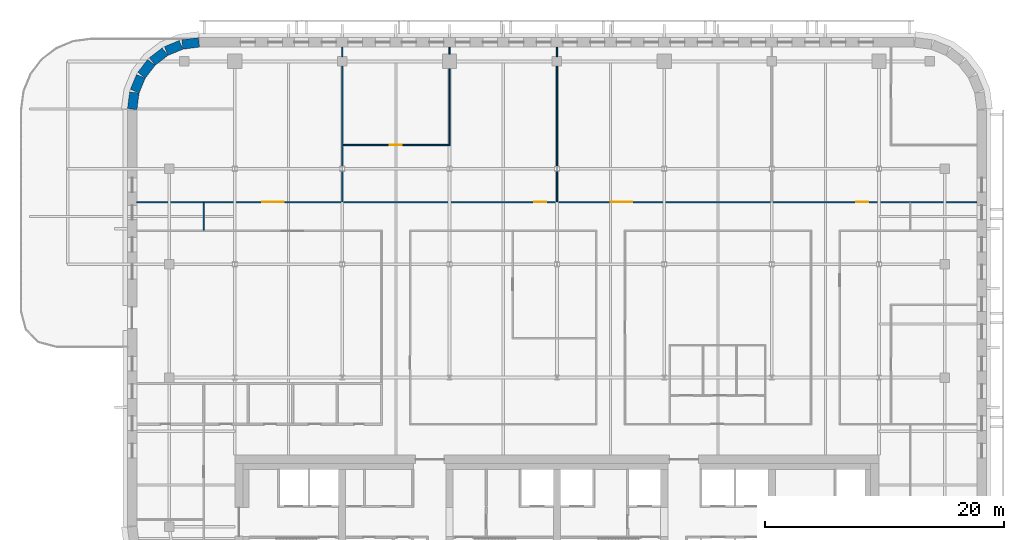
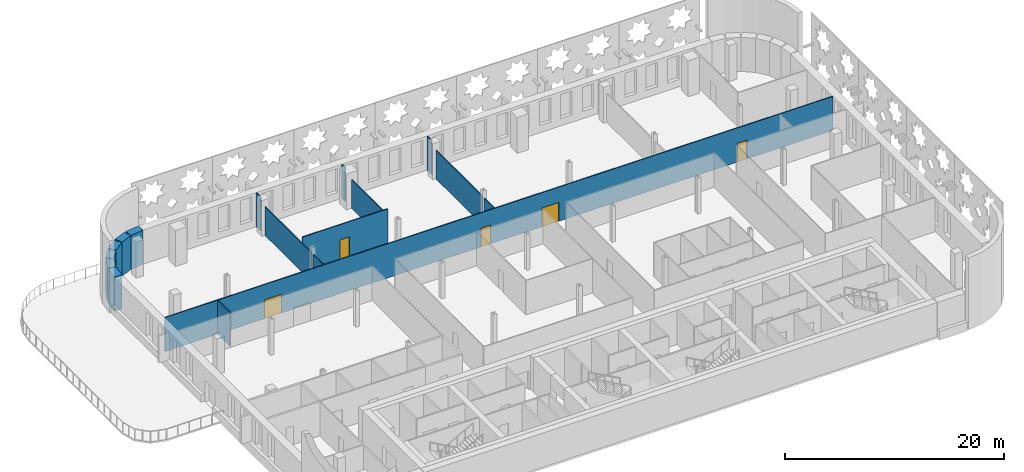
# One storey, part 9 of 17: 17 walls, 5 doors, 5 openings.
"""IFC4 building model written with IfcOpenShell, lengths in metres."""

from ifc_helpers import new_model, si_unit, direction, frame, frame_2d, origin, place, context, subcontext, project, spatial, rectangle, extrude, material, layer, layer_set, type_object, element, fill, save


model = new_model("IFC4")

# Units and contexts
model_context = context("Model", 3, precision=1e-05, world=origin(), true_north=direction((0.0, 1.0)))
body_context = subcontext(model_context, "Body", "Model", "MODEL_VIEW")
ifc_project = project(units=[si_unit("LENGTHUNIT", "METRE"), si_unit("AREAUNIT", "SQUARE_METRE"), si_unit("VOLUMEUNIT", "CUBIC_METRE"), si_unit("PLANEANGLEUNIT", "RADIAN"), si_unit("MASSUNIT", "GRAM", prefix="KILO")], contexts=[model_context])

# Site, building, storey
site_placement = place(None, origin())
site = spatial("IfcSite", under=ifc_project, at=site_placement, CompositionType="ELEMENT")
building_placement = place(site_placement, origin())
building = spatial("IfcBuilding", under=site, at=building_placement, Name="Zellij Exchange Tower", CompositionType="ELEMENT")
storey_placement = place(building_placement, frame((0.0, 0.0, 256.5)))
storey = spatial("IfcBuildingStorey", under=building, at=storey_placement, Name="L60", CompositionType="ELEMENT", Elevation=256.5)

# Walls
ifc_material_1 = material(Name="Precast concrete C40/50", Category="concrete")
ifc_layer_1 = layer(ifc_material_1, 0.800048828125)
ifc_layer_set_1 = layer_set([ifc_layer_1], Name="Precast concrete C40/50")
wall_type_1 = type_object("IfcWallType", Name="ENV-EW1 Precast stone-piered wall 800", PredefinedType="SOLIDWALL", material=ifc_layer_set_1)
wall_1_placement = place(storey_placement, frame((-29.999755859375, 32.5966796875, 0.0), z_axis=(0.0, 0.0, 1.0), x_axis=(-0.99144603414, -0.130517283865, 0.0)))
element("IfcWall", 1, at=wall_1_placement, inside=storey, type_object=wall_type_1, Name="fac.L60.15", PredefinedType="SOLIDWALL", context=body_context, shape_type="SweptSolid", body=[
    extrude(rectangle(XDim=1.408447265625, YDim=0.800048828125, at=frame_2d((0.7041015625, 0.0))), origin(), (0.0, 0.0, 1.0), 3.800048828125),
])
wall_2_placement = place(storey_placement, frame((-31.497314453125, 32.3857421875, 0.0), z_axis=(0.0, 0.0, 1.0), x_axis=(-0.923847774587, -0.38276009378, 0.0)))
element("IfcWall", 2, at=wall_2_placement, inside=storey, type_object=wall_type_1, Name="fac.L60.16", PredefinedType="SOLIDWALL", context=body_context, shape_type="SweptSolid", body=[
    extrude(rectangle(XDim=1.35546875, YDim=0.800048828125, at=frame_2d((0.677734375, 0.0))), origin(), (0.0, 0.0, 1.0), 3.800048828125),
])
for number, where, z_axis, x_axis, name in (
    (3, (-32.840087890625, 31.814697265625, 0.0), (0.0, 0.0, 1.0), (-0.793272915452, -0.608866226366, 0.0), "fac.L60.17"),
    (4, (-33.9892578125, 30.91552734375, 0.0), (0.0, 0.0, 1.0), (-0.608866226366, -0.793272915452, 0.0), "fac.L60.18"),
):
    element("IfcWall", number, at=place(storey_placement, frame(where, z_axis=z_axis, x_axis=x_axis)), inside=storey, type_object=wall_type_1, Name=name, PredefinedType="SOLIDWALL", context=body_context, shape_type="SweptSolid", body=[
        extrude(rectangle(XDim=1.355712890625, YDim=0.800048828125, at=frame_2d((0.677734375, 0.0))), origin(), (0.0, 0.0, 1.0), 3.800048828125),
    ])
wall_3_placement = place(storey_placement, frame((-34.866943359375, 29.74951171875, 0.0), z_axis=(0.0, 0.0, 1.0), x_axis=(-0.38276009378, -0.923847774587, 0.0)))
element("IfcWall", 5, at=wall_3_placement, inside=storey, type_object=wall_type_1, Name="fac.L60.19", PredefinedType="SOLIDWALL", context=body_context, shape_type="SweptSolid", body=[
    extrude(rectangle(XDim=1.35546875, YDim=0.800048828125, at=frame_2d((0.677734375, 0.0))), origin(), (0.0, 0.0, 1.0), 3.800048828125),
])
wall_4_placement = place(storey_placement, frame((-35.412841796875, 28.396240234375, 0.0), z_axis=(0.0, 0.0, 1.0), x_axis=(-0.130517283865, -0.99144603414, 0.0)))
element("IfcWall", 6, at=wall_4_placement, inside=storey, type_object=wall_type_1, Name="fac.L60.20", PredefinedType="SOLIDWALL", context=body_context, shape_type="SweptSolid", body=[
    extrude(rectangle(XDim=1.408447265625, YDim=0.800048828125, at=frame_2d((0.7041015625, 0.0))), origin(), (0.0, 0.0, 1.0), 3.800048828125),
])
ifc_material_2 = material(Name="Gypsum board partition on steel studs", Category="steel")
ifc_layer_2 = layer(ifc_material_2, 0.10009765625)
ifc_layer_set_2 = layer_set([ifc_layer_2], Name="Gypsum board partition on steel studs")
wall_type_2 = type_object("IfcWallType", Name="FIT-PARTITION-100", PredefinedType="PARTITIONING", material=ifc_layer_set_2)
wall_5_placement = place(storey_placement, frame((-29.60009765625, 16.85009765625, 0.0), z_axis=(0.0, 0.0, 1.0), x_axis=(0.0, 1.0, 0.0)))
element("IfcWall", 7, at=wall_5_placement, inside=storey, type_object=wall_type_2, Name="FIT-PARTITION-100 035", PredefinedType="PARTITIONING", context=body_context, shape_type="SweptSolid", body=[
    extrude(rectangle(XDim=2.2998046875, YDim=0.10009765625, at=frame_2d((1.14990234375, 0.0))), origin(), (0.0, 0.0, 1.0), 3.800048828125),
])

# Wall, openings, doors
wall_6_placement = place(storey_placement, frame((-35.199951171875, 19.199951171875, 0.0), z_axis=(0.0, 0.0, 1.0), x_axis=(1.0, 0.0, 0.0)))
wall_6 = element("IfcWall", 8, at=wall_6_placement, inside=storey, type_object=wall_type_2, Name="FIT-PARTITION-100 040", PredefinedType="PARTITIONING", context=body_context, shape_type="SweptSolid", body=[
    extrude(rectangle(XDim=70.39990234375, YDim=0.10009765625, at=frame_2d((35.199951171875, 0.0))), origin(), (0.0, 0.0, 1.0), 3.800048828125),
])
opening_1_placement = place(wall_6_placement, frame((10.5, 0.0, 0.0)))
opening_1 = element("IfcOpeningElement", 9, at=opening_1_placement, cuts=wall_6, Name="Opening O4E.18", PredefinedType="OPENING", context=body_context, shape_type="SweptSolid", body=[
    extrude(rectangle(XDim=1.800048828125, YDim=2.10009765625, at=frame_2d((0.89990234375, 1.050048828125))), frame((0.0, 0.06201171875, 0.0), z_axis=(0.0, -1.0, 0.0), x_axis=(1.0, 0.0, 0.0)), (0.0, 0.0, 1.0), 0.1240234375),
])
opening_2_placement = place(wall_6_placement, frame((33.300048828125, 0.0, 0.0)))
opening_2 = element("IfcOpeningElement", 10, at=opening_2_placement, cuts=wall_6, Name="Opening O4E.19", PredefinedType="OPENING", context=body_context, shape_type="SweptSolid", body=[
    extrude(rectangle(XDim=1.0, YDim=2.10009765625, at=frame_2d((0.5, 1.050048828125))), frame((0.0, 0.06201171875, 0.0), z_axis=(0.0, -1.0, 0.0), x_axis=(1.0, 0.0, 0.0)), (0.0, 0.0, 1.0), 0.1240234375),
])
opening_3_placement = place(wall_6_placement, frame((39.699951171875, 0.0, 0.0)))
opening_3 = element("IfcOpeningElement", 11, at=opening_3_placement, cuts=wall_6, Name="Opening O4E.20", PredefinedType="OPENING", context=body_context, shape_type="SweptSolid", body=[
    extrude(rectangle(XDim=1.800048828125, YDim=2.10009765625, at=frame_2d((0.89990234375, 1.050048828125))), frame((0.0, 0.06201171875, 0.0), z_axis=(0.0, -1.0, 0.0), x_axis=(1.0, 0.0, 0.0)), (0.0, 0.0, 1.0), 0.1240234375),
])
opening_4_placement = place(wall_6_placement, frame((60.300048828125, 0.0, 0.0)))
opening_4 = element("IfcOpeningElement", 12, at=opening_4_placement, cuts=wall_6, Name="Opening O4E.21", PredefinedType="OPENING", context=body_context, shape_type="SweptSolid", body=[
    extrude(rectangle(XDim=1.0, YDim=2.10009765625, at=frame_2d((0.5, 1.050048828125))), frame((0.0, 0.06201171875, 0.0), z_axis=(0.0, -1.0, 0.0), x_axis=(1.0, 0.0, 0.0)), (0.0, 0.0, 1.0), 0.1240234375),
])
ifc_material_3 = material(Name="Timber door set", Category="wood")
door_type_1 = type_object("IfcDoorType", Name="FIT-D2-WIDE-1000X2100", OperationType="SINGLE_SWING_LEFT", PredefinedType="DOOR", material=ifc_material_3)
door_1_placement = place(opening_2_placement, origin())
door_1 = element("IfcDoor", 13, at=door_1_placement, inside=storey, type_object=door_type_1, Name="Door O4E.19", OperationType="SINGLE_SWING_LEFT", OverallHeight=2.10009765625, OverallWidth=1.0, PredefinedType="DOOR", context=body_context, shape_type="SweptSolid", body=[
    extrude(rectangle(XDim=1.0, YDim=2.10009765625, at=frame_2d((0.5, 1.050048828125))), frame((0.0, 0.02490234375, 0.0), z_axis=(0.0, -1.0, 0.0), x_axis=(1.0, 0.0, 0.0)), (0.0, 0.0, 1.0), 0.050048828125),
])
fill(opening_2, door_1)
door_2_placement = place(opening_4_placement, origin())
door_2 = element("IfcDoor", 14, at=door_2_placement, inside=storey, type_object=door_type_1, Name="Door O4E.21", OperationType="SINGLE_SWING_LEFT", OverallHeight=2.10009765625, OverallWidth=1.0, PredefinedType="DOOR", context=body_context, shape_type="SweptSolid", body=[
    extrude(rectangle(XDim=1.0, YDim=2.10009765625, at=frame_2d((0.5, 1.050048828125))), frame((0.0, 0.02490234375, 0.0), z_axis=(0.0, -1.0, 0.0), x_axis=(1.0, 0.0, 0.0)), (0.0, 0.0, 1.0), 0.050048828125),
])
fill(opening_4, door_2)
door_type_2 = type_object("IfcDoorType", Name="FIT-D3-DOUBLE-1800X2100", OperationType="DOUBLE_DOOR_SINGLE_SWING", PredefinedType="DOOR", material=ifc_material_3)
door_3_placement = place(opening_1_placement, origin())
door_3 = element("IfcDoor", 15, at=door_3_placement, inside=storey, type_object=door_type_2, Name="Door O4E.18", OperationType="DOUBLE_DOOR_SINGLE_SWING", OverallHeight=2.10009765625, OverallWidth=1.800048828125, PredefinedType="DOOR", context=body_context, shape_type="SweptSolid", body=[
    extrude(rectangle(XDim=1.800048828125, YDim=2.10009765625, at=frame_2d((0.89990234375, 1.050048828125))), frame((0.0, 0.02490234375, 0.0), z_axis=(0.0, -1.0, 0.0), x_axis=(1.0, 0.0, 0.0)), (0.0, 0.0, 1.0), 0.050048828125),
])
fill(opening_1, door_3)
door_4_placement = place(opening_3_placement, origin())
door_4 = element("IfcDoor", 16, at=door_4_placement, inside=storey, type_object=door_type_2, Name="Door O4E.20", OperationType="DOUBLE_DOOR_SINGLE_SWING", OverallHeight=2.10009765625, OverallWidth=1.800048828125, PredefinedType="DOOR", context=body_context, shape_type="SweptSolid", body=[
    extrude(rectangle(XDim=1.800048828125, YDim=2.10009765625, at=frame_2d((0.89990234375, 1.050048828125))), frame((0.0, 0.02490234375, 0.0), z_axis=(0.0, -1.0, 0.0), x_axis=(1.0, 0.0, 0.0)), (0.0, 0.0, 1.0), 0.050048828125),
])
fill(opening_3, door_4)

# Walls
wall_7_placement = place(storey_placement, frame((-18.0, 19.25, 0.0), z_axis=(0.0, 0.0, 1.0), x_axis=(0.0, 1.0, 0.0)))
element("IfcWall", 17, at=wall_7_placement, inside=storey, type_object=wall_type_2, Name="FIT-PARTITION-100 041", PredefinedType="PARTITIONING", context=body_context, shape_type="SweptSolid", body=[
    extrude(rectangle(XDim=2.556884765625, YDim=0.10009765625, at=frame_2d((1.2783203125, 0.0))), origin(), (0.0, 0.0, 1.0), 3.19287109375),
])
wall_8_placement = place(storey_placement, frame((-18.0, 22.193115234375, 0.0), z_axis=(0.0, 0.0, 1.0), x_axis=(0.0, 1.0, 0.0)))
element("IfcWall", 18, at=wall_8_placement, inside=storey, type_object=wall_type_2, Name="FIT-PARTITION-100 042", PredefinedType="PARTITIONING", context=body_context, shape_type="SweptSolid", body=[
    extrude(rectangle(XDim=8.406982421875, YDim=0.10009765625, at=frame_2d((4.20361328125, 0.0))), origin(), (0.0, 0.0, 1.0), 3.19287109375),
])
wall_9_placement = place(storey_placement, frame((-18.0, 31.39990234375, 0.0), z_axis=(0.0, 0.0, 1.0), x_axis=(0.0, 1.0, 0.0)))
element("IfcWall", 19, at=wall_9_placement, inside=storey, type_object=wall_type_2, Name="FIT-PARTITION-100 043", PredefinedType="PARTITIONING", context=body_context, shape_type="SweptSolid", body=[
    extrude(rectangle(XDim=0.800048828125, YDim=0.10009765625, at=frame_2d((0.39990234375, 0.0))), origin(), (0.0, 0.0, 1.0), 3.800048828125),
])
wall_10_placement = place(storey_placement, frame((0.0, 19.25, 0.0), z_axis=(0.0, 0.0, 1.0), x_axis=(0.0, 1.0, 0.0)))
element("IfcWall", 20, at=wall_10_placement, inside=storey, type_object=wall_type_2, Name="FIT-PARTITION-100 044", PredefinedType="PARTITIONING", context=body_context, shape_type="SweptSolid", body=[
    extrude(rectangle(XDim=2.556884765625, YDim=0.10009765625, at=frame_2d((1.2783203125, 0.0))), origin(), (0.0, 0.0, 1.0), 3.19287109375),
])
wall_11_placement = place(storey_placement, frame((0.0, 22.193115234375, 0.0), z_axis=(0.0, 0.0, 1.0), x_axis=(0.0, 1.0, 0.0)))
element("IfcWall", 21, at=wall_11_placement, inside=storey, type_object=wall_type_2, Name="FIT-PARTITION-100 045", PredefinedType="PARTITIONING", context=body_context, shape_type="SweptSolid", body=[
    extrude(rectangle(XDim=8.406982421875, YDim=0.10009765625, at=frame_2d((4.20361328125, 0.0))), origin(), (0.0, 0.0, 1.0), 3.19287109375),
])
wall_12_placement = place(storey_placement, frame((0.0, 31.39990234375, 0.0), z_axis=(0.0, 0.0, 1.0), x_axis=(0.0, 1.0, 0.0)))
element("IfcWall", 22, at=wall_12_placement, inside=storey, type_object=wall_type_2, Name="FIT-PARTITION-100 046", PredefinedType="PARTITIONING", context=body_context, shape_type="SweptSolid", body=[
    extrude(rectangle(XDim=0.800048828125, YDim=0.10009765625, at=frame_2d((0.39990234375, 0.0))), origin(), (0.0, 0.0, 1.0), 3.800048828125),
])

# Wall, opening, door
wall_13_placement = place(storey_placement, frame((-17.949951171875, 24.0, 0.0), z_axis=(0.0, 0.0, 1.0), x_axis=(1.0, 0.0, 0.0)))
wall_13 = element("IfcWall", 23, at=wall_13_placement, inside=storey, type_object=wall_type_2, Name="FIT-PARTITION-100 050", PredefinedType="PARTITIONING", context=body_context, shape_type="SweptSolid", body=[
    extrude(rectangle(XDim=9.0, YDim=0.10009765625, at=frame_2d((4.5, 0.0))), origin(), (0.0, 0.0, 1.0), 3.800048828125),
])
opening_5_placement = place(wall_13_placement, frame((3.949951171875, 0.0, 0.0)))
opening_5 = element("IfcOpeningElement", 24, at=opening_5_placement, cuts=wall_13, Name="Opening O4E.22", PredefinedType="OPENING", context=body_context, shape_type="SweptSolid", body=[
    extrude(rectangle(XDim=1.0, YDim=2.10009765625, at=frame_2d((0.5, 1.050048828125))), frame((0.0, 0.06201171875, 0.0), z_axis=(0.0, -1.0, 0.0), x_axis=(1.0, 0.0, 0.0)), (0.0, 0.0, 1.0), 0.1240234375),
])
door_5_placement = place(opening_5_placement, origin())
door_5 = element("IfcDoor", 25, at=door_5_placement, inside=storey, type_object=door_type_1, Name="Door O4E.22", OperationType="SINGLE_SWING_RIGHT", OverallHeight=2.10009765625, OverallWidth=1.0, PredefinedType="DOOR", context=body_context, shape_type="SweptSolid", body=[
    extrude(rectangle(XDim=1.0, YDim=2.10009765625, at=frame_2d((0.5, 1.050048828125))), frame((0.0, 0.02490234375, 0.0), z_axis=(0.0, -1.0, 0.0), x_axis=(1.0, 0.0, 0.0)), (0.0, 0.0, 1.0), 0.050048828125),
])
fill(opening_5, door_5)

# Walls
wall_14_placement = place(storey_placement, frame((-9.0, 24.050048828125, 0.0), z_axis=(0.0, 0.0, 1.0), x_axis=(0.0, 1.0, 0.0)))
element("IfcWall", 26, at=wall_14_placement, inside=storey, type_object=wall_type_2, Name="FIT-PARTITION-100 051", PredefinedType="PARTITIONING", context=body_context, shape_type="SweptSolid", body=[
    extrude(rectangle(XDim=6.349853515625, YDim=0.10009765625, at=frame_2d((3.1748046875, 0.0))), origin(), (0.0, 0.0, 1.0), 3.19287109375),
])
wall_15_placement = place(storey_placement, frame((-9.0, 31.60009765625, 0.0), z_axis=(0.0, 0.0, 1.0), x_axis=(0.0, 1.0, 0.0)))
element("IfcWall", 27, at=wall_15_placement, inside=storey, type_object=wall_type_2, Name="FIT-PARTITION-100 052", PredefinedType="PARTITIONING", context=body_context, shape_type="SweptSolid", body=[
    extrude(rectangle(XDim=0.599853515625, YDim=0.10009765625, at=frame_2d((0.2998046875, 0.0))), origin(), (0.0, 0.0, 1.0), 3.800048828125),
])

save(model, "model.ifc")
